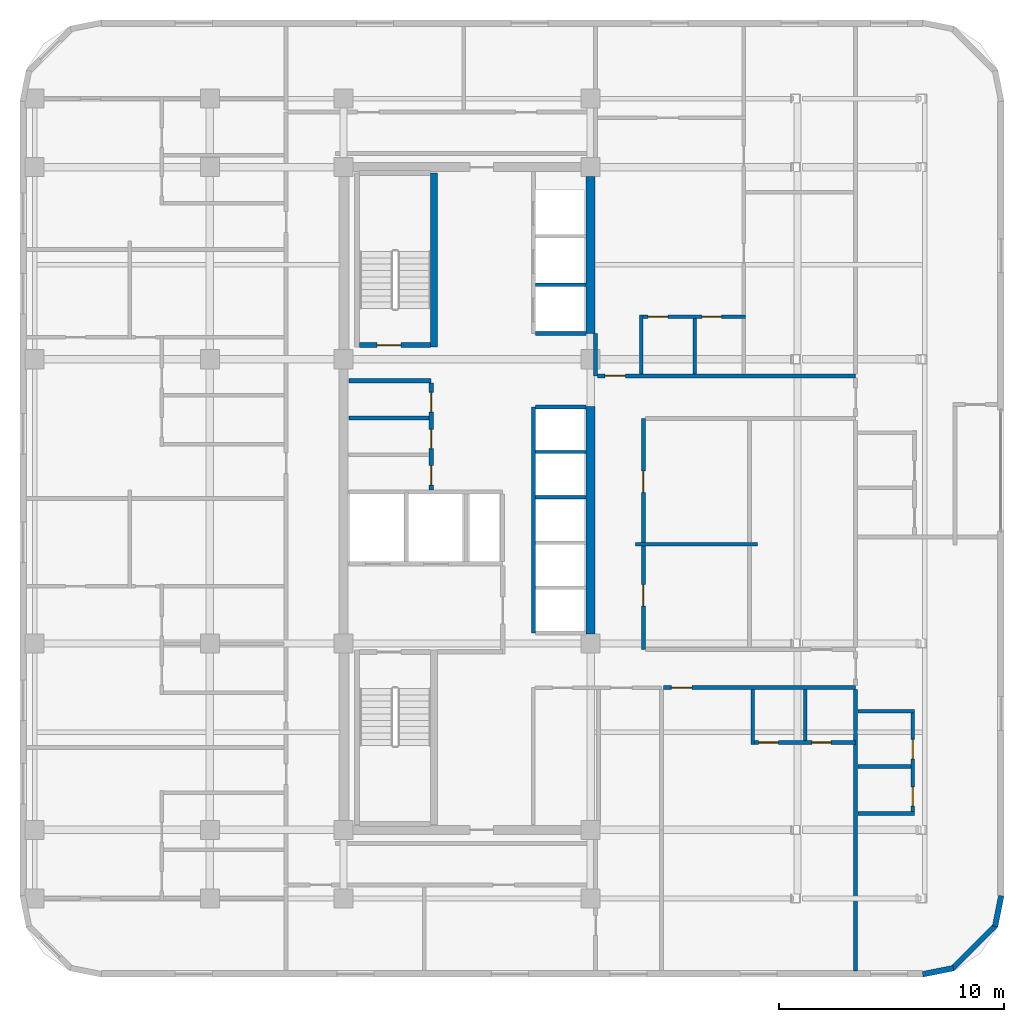
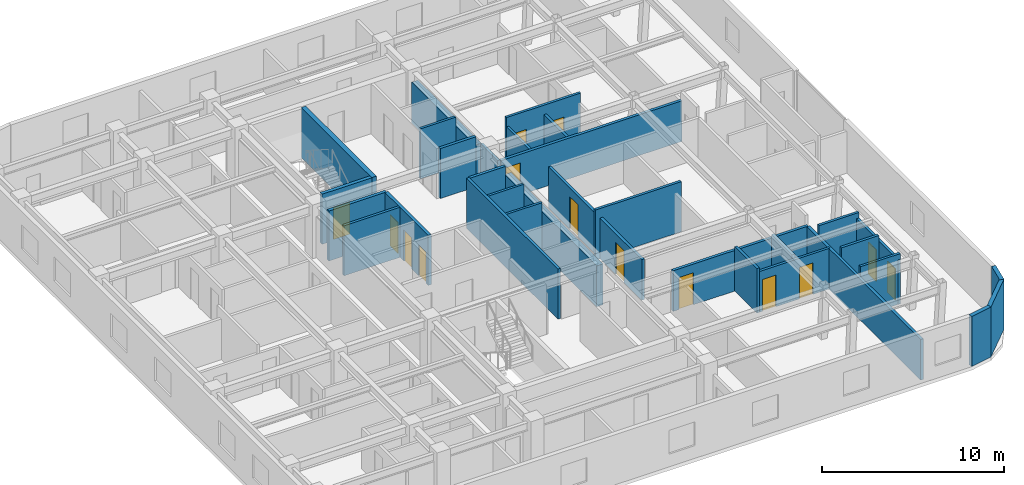
# One storey, part 6 of 9: 32 walls, 14 doors, 14 openings.
"""IFC4 building model written with IfcOpenShell, lengths in metres."""

from ifc_helpers import new_model, si_unit, direction, frame, frame_2d, origin, place, context, subcontext, project, spatial, rectangle, extrude, material, layer, layer_set, type_object, element, fill, save


model = new_model("IFC4")

# Units and contexts
model_context = context("Model", 3, precision=1e-05, world=origin(), true_north=direction((0.0, 1.0)))
body_context = subcontext(model_context, "Body", "Model", "MODEL_VIEW")
ifc_project = project(units=[si_unit("LENGTHUNIT", "METRE"), si_unit("AREAUNIT", "SQUARE_METRE"), si_unit("VOLUMEUNIT", "CUBIC_METRE"), si_unit("PLANEANGLEUNIT", "RADIAN"), si_unit("MASSUNIT", "GRAM", prefix="KILO")], contexts=[model_context])

# Site, building, storey
site_placement = place(None, origin())
site = spatial("IfcSite", under=ifc_project, at=site_placement, CompositionType="ELEMENT")
building_placement = place(site_placement, origin())
building = spatial("IfcBuilding", under=site, at=building_placement, Name="Ochreholt Gables", CompositionType="ELEMENT")
storey_placement = place(building_placement, frame((0.0, 0.0, 124.800048828125)))
storey = spatial("IfcBuildingStorey", under=building, at=storey_placement, Name="L32", CompositionType="ELEMENT", Elevation=124.800048828125)

# Walls
ifc_material_1 = material(Name="Concrete 60 MPa", Category="concrete")
ifc_layer_1 = layer(ifc_material_1, 0.39990234375, Name="Concrete 60 MPa")
ifc_layer_set_1 = layer_set([ifc_layer_1], Name="Concrete 60 MPa")
wall_type_1 = type_object("IfcWallType", Name="WALL-CSW-400", PredefinedType="SHEAR", material=ifc_layer_set_1)
wall_1_placement = place(storey_placement, frame((35.199951171875, 17.97509765625, 0.0), z_axis=(0.0, 0.0, 1.0), x_axis=(0.0, 1.0, 0.0)))
element("IfcWall", 1, at=wall_1_placement, inside=storey, type_object=wall_type_1, Name="L32 Core Central-East Shear Wall", PredefinedType="SHEAR", context=body_context, shape_type="SweptSolid", body=[
    extrude(rectangle(XDim=10.125, YDim=0.39990234375, at=frame_2d((5.0625, 0.0))), origin(), (0.0, 0.0, 1.0), 2.7490234375),
])
wall_2_placement = place(storey_placement, frame((35.199951171875, 31.35009765625, 0.0), z_axis=(0.0, 0.0, 1.0), x_axis=(0.0, 1.0, 0.0)))
element("IfcWall", 2, at=wall_2_placement, inside=storey, type_object=wall_type_1, Name="L32 Core North-East Shear Wall", PredefinedType="SHEAR", context=body_context, shape_type="SweptSolid", body=[
    extrude(rectangle(XDim=6.974853515625, YDim=0.39990234375, at=frame_2d((3.4873046875, 0.0))), origin(), (0.0, 0.0, 1.0), 2.7490234375),
])
ifc_material_2 = material(Name="Precast concrete 40 MPa", Category="concrete")
ifc_layer_2 = layer(ifc_material_2, 0.25, Name="Precast concrete 40 MPa")
ifc_layer_set_2 = layer_set([ifc_layer_2], Name="Precast concrete 40 MPa")
wall_type_2 = type_object("IfcWallType", Name="WALL-EXT-CNR", PredefinedType="SOLIDWALL", material=ifc_layer_set_2)
wall_3_placement = place(storey_placement, frame((49.9833984375, 2.82421875, 0.0), z_axis=(0.0, 0.0, 1.0), x_axis=(0.980809899341, 0.19496651342, 0.0)))
element("IfcWall", 3, at=wall_3_placement, inside=storey, type_object=wall_type_2, Name="L32 Rounded Corner Wall SE-1", PredefinedType="SOLIDWALL", context=body_context, shape_type="SweptSolid", body=[
    extrude(rectangle(XDim=1.388671875, YDim=0.25, at=frame_2d((0.6943359375, 0.0))), origin(), (0.0, 0.0, 1.0), 3.35986328125),
])
wall_4_placement = place(storey_placement, frame((51.294921875, 3.068115234375, 0.0), z_axis=(0.0, 0.0, 1.0), x_axis=(0.707151344399, 0.707062215165, 0.0)))
element("IfcWall", 4, at=wall_4_placement, inside=storey, type_object=wall_type_2, Name="L32 Rounded Corner Wall SE-2", PredefinedType="SOLIDWALL", context=body_context, shape_type="SweptSolid", body=[
    extrude(rectangle(XDim=2.7392578125, YDim=0.25, at=frame_2d((1.36962890625, 0.0))), origin(), (0.0, 0.0, 1.0), 3.35986328125),
])
wall_5_placement = place(storey_placement, frame((53.205078125, 4.95458984375, 0.0), z_axis=(0.0, 0.0, 1.0), x_axis=(0.195000137217, 0.980803214965, 0.0)))
element("IfcWall", 5, at=wall_5_placement, inside=storey, type_object=wall_type_2, Name="L32 Rounded Corner Wall SE-3", PredefinedType="SOLIDWALL", context=body_context, shape_type="SweptSolid", body=[
    extrude(rectangle(XDim=1.388427734375, YDim=0.25, at=frame_2d((0.6943359375, 0.0))), origin(), (0.0, 0.0, 1.0), 3.35986328125),
])
ifc_material_3 = material(Name="Concrete 40 MPa", Category="concrete")
ifc_layer_3 = layer(ifc_material_3, 0.199951171875, Name="Concrete 40 MPa")
ifc_layer_set_3 = layer_set([ifc_layer_3], Name="Concrete 40 MPa")
wall_type_3 = type_object("IfcWallType", Name="WALL-INT-CF200", PredefinedType="STANDARD", material=ifc_layer_set_3)
wall_6_placement = place(storey_placement, frame((24.449951171875, 29.239990234375, 0.0), z_axis=(0.0, 0.0, 1.0), x_axis=(1.0, 0.0, 0.0)))
element("IfcWall", 6, at=wall_6_placement, inside=storey, type_object=wall_type_3, Name="L32 Interior Wall WI-SRVN-L32", PredefinedType="STANDARD", context=body_context, shape_type="SweptSolid", body=[
    extrude(rectangle(XDim=3.650146484375, YDim=0.199951171875, at=frame_2d((1.8251953125, 0.0))), origin(), (0.0, 0.0, 1.0), 3.35986328125),
])

# Wall, openings, doors
wall_7_placement = place(storey_placement, frame((28.10009765625, 24.389892578125, 0.0), z_axis=(0.0, 0.0, 1.0), x_axis=(0.0, 1.0, 0.0)))
wall_7 = element("IfcWall", 7, at=wall_7_placement, inside=storey, type_object=wall_type_3, Name="L32 Interior Wall WI-SRVE-L32", PredefinedType="STANDARD", context=body_context, shape_type="SweptSolid", body=[
    extrude(rectangle(XDim=4.75, YDim=0.199951171875, at=frame_2d((2.375, 0.0))), origin(), (0.0, 0.0, 1.0), 3.35986328125),
])
opening_1_placement = place(wall_7_placement, frame((0.2099609375, 0.0, 0.0)))
opening_1 = element("IfcOpeningElement", 8, at=opening_1_placement, cuts=wall_7, Name="Opening D-SV2", PredefinedType="OPENING", context=body_context, shape_type="SweptSolid", body=[
    extrude(rectangle(XDim=0.860107421875, YDim=2.10009765625, at=frame_2d((0.43017578125, 1.050048828125))), frame((0.0, 0.10986328125, 0.0), z_axis=(0.0, -1.0, 0.0), x_axis=(1.0, 0.0, 0.0)), (0.0, 0.0, 1.0), 0.219970703125),
])
opening_2_placement = place(wall_7_placement, frame((1.830078125, 0.0, 0.0)))
opening_2 = element("IfcOpeningElement", 9, at=opening_2_placement, cuts=wall_7, Name="Opening D-SV2", PredefinedType="OPENING", context=body_context, shape_type="SweptSolid", body=[
    extrude(rectangle(XDim=0.860107421875, YDim=2.10009765625, at=frame_2d((0.43017578125, 1.050048828125))), frame((0.0, 0.10986328125, 0.0), z_axis=(0.0, -1.0, 0.0), x_axis=(1.0, 0.0, 0.0)), (0.0, 0.0, 1.0), 0.219970703125),
])
opening_3_placement = place(wall_7_placement, frame((3.469970703125, 0.0, 0.0)))
opening_3 = element("IfcOpeningElement", 10, at=opening_3_placement, cuts=wall_7, Name="Opening D-SV2", PredefinedType="OPENING", context=body_context, shape_type="SweptSolid", body=[
    extrude(rectangle(XDim=0.860107421875, YDim=2.10009765625, at=frame_2d((0.43017578125, 1.050048828125))), frame((0.0, 0.10986328125, 0.0), z_axis=(0.0, -1.0, 0.0), x_axis=(1.0, 0.0, 0.0)), (0.0, 0.0, 1.0), 0.219970703125),
])
ifc_material_4 = material(Name="Hollow Metal Steel", Category="steel")
door_type_1 = type_object("IfcDoorType", Name="DR-INT-SRV860", OperationType="NOTDEFINED", PredefinedType="DOOR", material=ifc_material_4)
door_1_placement = place(opening_1_placement, origin())
door_1 = element("IfcDoor", 11, at=door_1_placement, inside=storey, type_object=door_type_1, Name="L32 Door D-SRV1-L32", OperationType="SINGLE_SWING_LEFT", OverallHeight=2.10009765625, OverallWidth=0.860107421875, PredefinedType="DOOR", context=body_context, shape_type="SweptSolid", body=[
    extrude(rectangle(XDim=0.860107421875, YDim=2.10009765625, at=frame_2d((0.43017578125, 1.050048828125))), frame((0.0, 0.02490234375, 0.0), z_axis=(0.0, -1.0, 0.0), x_axis=(1.0, 0.0, 0.0)), (0.0, 0.0, 1.0), 0.050048828125),
])
fill(opening_1, door_1)
door_2_placement = place(opening_2_placement, origin())
door_2 = element("IfcDoor", 12, at=door_2_placement, inside=storey, type_object=door_type_1, Name="L32 Door D-SRV2-L32", OperationType="SINGLE_SWING_RIGHT", OverallHeight=2.10009765625, OverallWidth=0.860107421875, PredefinedType="DOOR", context=body_context, shape_type="SweptSolid", body=[
    extrude(rectangle(XDim=0.860107421875, YDim=2.10009765625, at=frame_2d((0.43017578125, 1.050048828125))), frame((0.0, 0.02490234375, 0.0), z_axis=(0.0, -1.0, 0.0), x_axis=(1.0, 0.0, 0.0)), (0.0, 0.0, 1.0), 0.050048828125),
])
fill(opening_2, door_2)
door_3_placement = place(opening_3_placement, origin())
door_3 = element("IfcDoor", 13, at=door_3_placement, inside=storey, type_object=door_type_1, Name="L32 Door D-SRV3-L32", OperationType="SINGLE_SWING_LEFT", OverallHeight=2.10009765625, OverallWidth=0.860107421875, PredefinedType="DOOR", context=body_context, shape_type="SweptSolid", body=[
    extrude(rectangle(XDim=0.860107421875, YDim=2.10009765625, at=frame_2d((0.43017578125, 1.050048828125))), frame((0.0, 0.02490234375, 0.0), z_axis=(0.0, -1.0, 0.0), x_axis=(1.0, 0.0, 0.0)), (0.0, 0.0, 1.0), 0.050048828125),
])
fill(opening_3, door_3)

ifc_material_5 = material(Name="Fire-Rated Gypsum Acoustic Partition", Category="gypsum")
ifc_layer_4 = layer(ifc_material_5, 0.179931640625, Name="Fire-Rated Gypsum Acoustic Partition")
ifc_layer_set_4 = layer_set([ifc_layer_4], Name="Fire-Rated Gypsum Acoustic Partition")
wall_type_4 = type_object("IfcWallType", Name="WALL-INT-CR180", PredefinedType="STANDARD", material=ifc_layer_set_4)
wall_8_placement = place(storey_placement, frame((37.550048828125, 17.280029296875, 0.0), z_axis=(0.0, 0.0, 1.0), x_axis=(0.0, 1.0, 0.0)))
wall_8 = element("IfcWall", 14, at=wall_8_placement, inside=storey, type_object=wall_type_4, Name="L32 Interior Wall WI-C2EM-L32", PredefinedType="STANDARD", context=body_context, shape_type="SweptSolid", body=[
    extrude(rectangle(XDim=10.280029296875, YDim=0.179931640625, at=frame_2d((5.14013671875, 0.0))), origin(), (0.0, 0.0, 1.0), 2.73095703125),
])
opening_4_placement = place(wall_8_placement, frame((1.93994140625, 0.0, 0.0)))
opening_4 = element("IfcOpeningElement", 15, at=opening_4_placement, cuts=wall_8, Name="Opening D-GN1", PredefinedType="OPENING", context=body_context, shape_type="SweptSolid", body=[
    extrude(rectangle(XDim=0.949951171875, YDim=2.14990234375, at=frame_2d((0.47509765625, 1.074951171875))), frame((0.0, 0.099853515625, 0.0), z_axis=(0.0, -1.0, 0.0), x_axis=(1.0, 0.0, 0.0)), (0.0, 0.0, 1.0), 0.199951171875),
])
opening_5_placement = place(wall_8_placement, frame((6.989990234375, 0.0, 0.0)))
opening_5 = element("IfcOpeningElement", 16, at=opening_5_placement, cuts=wall_8, Name="Opening D-GN1", PredefinedType="OPENING", context=body_context, shape_type="SweptSolid", body=[
    extrude(rectangle(XDim=0.949951171875, YDim=2.14990234375, at=frame_2d((0.47509765625, 1.074951171875))), frame((0.0, 0.099853515625, 0.0), z_axis=(0.0, -1.0, 0.0), x_axis=(1.0, 0.0, 0.0)), (0.0, 0.0, 1.0), 0.199951171875),
])
ifc_material_6 = material(Name="Engineered Oak Timber", Category="wood")
door_type_2 = type_object("IfcDoorType", Name="DR-INT-GEN950", OperationType="NOTDEFINED", PredefinedType="DOOR", material=ifc_material_6)
door_4_placement = place(opening_4_placement, origin())
door_4 = element("IfcDoor", 17, at=door_4_placement, inside=storey, type_object=door_type_2, Name="L32 Door D-U-L32M1A-ENT", OperationType="SINGLE_SWING_RIGHT", OverallHeight=2.14990234375, OverallWidth=0.949951171875, PredefinedType="DOOR", context=body_context, shape_type="SweptSolid", body=[
    extrude(rectangle(XDim=0.949951171875, YDim=2.14990234375, at=frame_2d((0.47509765625, 1.074951171875))), frame((0.0, 0.02490234375, 0.0), z_axis=(0.0, -1.0, 0.0), x_axis=(1.0, 0.0, 0.0)), (0.0, 0.0, 1.0), 0.050048828125),
])
fill(opening_4, door_4)
door_5_placement = place(opening_5_placement, origin())
door_5 = element("IfcDoor", 18, at=door_5_placement, inside=storey, type_object=door_type_2, Name="L32 Door D-U-L32M1B-ENT", OperationType="SINGLE_SWING_LEFT", OverallHeight=2.14990234375, OverallWidth=0.949951171875, PredefinedType="DOOR", context=body_context, shape_type="SweptSolid", body=[
    extrude(rectangle(XDim=0.949951171875, YDim=2.14990234375, at=frame_2d((0.47509765625, 1.074951171875))), frame((0.0, 0.02490234375, 0.0), z_axis=(0.0, -1.0, 0.0), x_axis=(1.0, 0.0, 0.0)), (0.0, 0.0, 1.0), 0.050048828125),
])
fill(opening_5, door_5)

# Wall, opening, door
wall_9_placement = place(storey_placement, frame((38.4326171875, 15.580078125, 0.0), z_axis=(0.0, 0.0, 1.0), x_axis=(1.0, 0.0, 0.0)))
wall_9 = element("IfcWall", 19, at=wall_9_placement, inside=storey, type_object=wall_type_4, Name="L32 Interior Wall WI-C2SS1-L32", PredefinedType="STANDARD", context=body_context, shape_type="SweptSolid", body=[
    extrude(rectangle(XDim=8.5673828125, YDim=0.179931640625, at=frame_2d((4.28369140625, 0.0))), origin(), (0.0, 0.0, 1.0), 2.73095703125),
])
opening_6_placement = place(wall_9_placement, frame((0.357421875, 0.0, 0.0)))
opening_6 = element("IfcOpeningElement", 20, at=opening_6_placement, cuts=wall_9, Name="Opening D-UN1", PredefinedType="OPENING", context=body_context, shape_type="SweptSolid", body=[
    extrude(rectangle(XDim=0.919921875, YDim=2.14990234375, at=frame_2d((0.4599609375, 1.074951171875))), frame((0.0, 0.099853515625, 0.0), z_axis=(0.0, -1.0, 0.0), x_axis=(1.0, 0.0, 0.0)), (0.0, 0.0, 1.0), 0.199951171875),
])
door_type_3 = type_object("IfcDoorType", Name="DR-INT-UNT920", OperationType="NOTDEFINED", PredefinedType="DOOR", material=ifc_material_6)
door_6_placement = place(opening_6_placement, origin())
door_6 = element("IfcDoor", 21, at=door_6_placement, inside=storey, type_object=door_type_3, Name="L32 Door D-U-L32S1-ENT", OperationType="SINGLE_SWING_RIGHT", OverallHeight=2.14990234375, OverallWidth=0.919921875, PredefinedType="DOOR", context=body_context, shape_type="SweptSolid", body=[
    extrude(rectangle(XDim=0.919921875, YDim=2.14990234375, at=frame_2d((0.4599609375, 1.074951171875))), frame((0.0, 0.02490234375, 0.0), z_axis=(0.0, -1.0, 0.0), x_axis=(1.0, 0.0, 0.0)), (0.0, 0.0, 1.0), 0.050048828125),
])
fill(opening_6, door_6)

# Wall
wall_10_placement = place(storey_placement, frame((35.419921875, 29.4599609375, 0.0), z_axis=(0.0, 0.0, 1.0), x_axis=(0.0, 1.0, 0.0)))
element("IfcWall", 22, at=wall_10_placement, inside=storey, type_object=wall_type_4, Name="L32 Interior Wall WI-C2NCL-L32", PredefinedType="STANDARD", context=body_context, shape_type="SweptSolid", body=[
    extrude(rectangle(XDim=1.89013671875, YDim=0.179931640625, at=frame_2d((0.945068359375, 0.0))), origin(), (0.0, 0.0, 1.0), 2.73095703125),
])

# Wall, opening, door
wall_11_placement = place(storey_placement, frame((35.510009765625, 29.4599609375, 0.0), z_axis=(0.0, 0.0, 1.0), x_axis=(1.0, 0.0, 0.0)))
wall_11 = element("IfcWall", 23, at=wall_11_placement, inside=storey, type_object=wall_type_4, Name="L32 Interior Wall WI-C2SN2-L32", PredefinedType="STANDARD", context=body_context, shape_type="SweptSolid", body=[
    extrude(rectangle(XDim=11.489990234375, YDim=0.179931640625, at=frame_2d((5.7451171875, 0.0))), origin(), (0.0, 0.0, 1.0), 2.73095703125),
])
opening_7_placement = place(wall_11_placement, frame((0.320068359375, 0.0, 0.0)))
opening_7 = element("IfcOpeningElement", 24, at=opening_7_placement, cuts=wall_11, Name="Opening D-UN1", PredefinedType="OPENING", context=body_context, shape_type="SweptSolid", body=[
    extrude(rectangle(XDim=0.919921875, YDim=2.14990234375, at=frame_2d((0.4599609375, 1.074951171875))), frame((0.0, 0.099853515625, 0.0), z_axis=(0.0, -1.0, 0.0), x_axis=(1.0, 0.0, 0.0)), (0.0, 0.0, 1.0), 0.199951171875),
])
door_7_placement = place(opening_7_placement, origin())
door_7 = element("IfcDoor", 25, at=door_7_placement, inside=storey, type_object=door_type_3, Name="L32 Door D-U-L32N1-ENT", OperationType="SINGLE_SWING_LEFT", OverallHeight=2.14990234375, OverallWidth=0.919921875, PredefinedType="DOOR", context=body_context, shape_type="SweptSolid", body=[
    extrude(rectangle(XDim=0.919921875, YDim=2.14990234375, at=frame_2d((0.4599609375, 1.074951171875))), frame((0.0, 0.02490234375, 0.0), z_axis=(0.0, -1.0, 0.0), x_axis=(1.0, 0.0, 0.0)), (0.0, 0.0, 1.0), 0.050048828125),
])
fill(opening_7, door_7)

# Wall
ifc_material_7 = material(Name="Double-Stud Acoustic Demising Wall", Category="gypsum")
ifc_layer_5 = layer(ifc_material_7, 0.179931640625, Name="Double-Stud Acoustic Demising Wall")
ifc_layer_set_5 = layer_set([ifc_layer_5], Name="Double-Stud Acoustic Demising Wall")
wall_type_5 = type_object("IfcWallType", Name="WALL-INT-DM180", PredefinedType="PARTITIONING", material=ifc_layer_set_5)
wall_12_placement = place(storey_placement, frame((47.0, 2.97998046875, 0.0), z_axis=(0.0, 0.0, 1.0), x_axis=(0.0, 1.0, 0.0)))
element("IfcWall", 26, at=wall_12_placement, inside=storey, type_object=wall_type_5, Name="L32 Interior Wall WI-C2FEW1-L32", PredefinedType="PARTITIONING", context=body_context, shape_type="SweptSolid", body=[
    extrude(rectangle(XDim=12.510009765625, YDim=0.179931640625, at=frame_2d((6.2548828125, 0.0))), origin(), (0.0, 0.0, 1.0), 2.73095703125),
])

# Wall, openings, doors
ifc_material_8 = material(Name="Moisture-Resistant Plumbing Chase Wall", Category="gypsum")
ifc_layer_6 = layer(ifc_material_8, 0.159912109375, Name="Moisture-Resistant Plumbing Chase Wall")
ifc_layer_set_6 = layer_set([ifc_layer_6], Name="Moisture-Resistant Plumbing Chase Wall")
wall_type_6 = type_object("IfcWallType", Name="WALL-INT-PL160", PredefinedType="PLUMBINGWALL", material=ifc_layer_set_6)
wall_13_placement = place(storey_placement, frame((42.330078125, 13.139892578125, 0.0), z_axis=(0.0, 0.0, 1.0), x_axis=(1.0, 0.0, 0.0)))
wall_13 = element("IfcWall", 27, at=wall_13_placement, inside=storey, type_object=wall_type_6, Name="L32 Interior Wall WU-L32S1-WY", PredefinedType="PLUMBINGWALL", context=body_context, shape_type="SweptSolid", body=[
    extrude(rectangle(XDim=4.669921875, YDim=0.159912109375, at=frame_2d((2.3349609375, 0.0))), origin(), (0.0, 0.0, 1.0), 2.73095703125),
])
opening_8_placement = place(wall_13_placement, frame((0.35009765625, 0.0, 0.0)))
opening_8 = element("IfcOpeningElement", 28, at=opening_8_placement, cuts=wall_13, Name="Opening D-GN2", PredefinedType="OPENING", context=body_context, shape_type="SweptSolid", body=[
    extrude(rectangle(XDim=0.8798828125, YDim=2.1201171875, at=frame_2d((0.43994140625, 1.06005859375))), frame((0.0, 0.08984375, 0.0), z_axis=(0.0, -1.0, 0.0), x_axis=(1.0, 0.0, 0.0)), (0.0, 0.0, 1.0), 0.179931640625),
])
opening_9_placement = place(wall_13_placement, frame((2.719970703125, 0.0, 0.0)))
opening_9 = element("IfcOpeningElement", 29, at=opening_9_placement, cuts=wall_13, Name="Opening D-BT1", PredefinedType="OPENING", context=body_context, shape_type="SweptSolid", body=[
    extrude(rectangle(XDim=0.860107421875, YDim=2.1201171875, at=frame_2d((0.43017578125, 1.06005859375))), frame((0.0, 0.08984375, 0.0), z_axis=(0.0, -1.0, 0.0), x_axis=(1.0, 0.0, 0.0)), (0.0, 0.0, 1.0), 0.179931640625),
])
door_type_4 = type_object("IfcDoorType", Name="DR-INT-BTH860", OperationType="NOTDEFINED", PredefinedType="DOOR", material=ifc_material_6)
door_8_placement = place(opening_9_placement, origin())
door_8 = element("IfcDoor", 30, at=door_8_placement, inside=storey, type_object=door_type_4, Name="L32 Door D-U-L32S1-BTH", OperationType="SINGLE_SWING_RIGHT", OverallHeight=2.1201171875, OverallWidth=0.860107421875, PredefinedType="DOOR", context=body_context, shape_type="SweptSolid", body=[
    extrude(rectangle(XDim=0.860107421875, YDim=2.1201171875, at=frame_2d((0.43017578125, 1.06005859375))), frame((0.0, 0.02490234375, 0.0), z_axis=(0.0, -1.0, 0.0), x_axis=(1.0, 0.0, 0.0)), (0.0, 0.0, 1.0), 0.050048828125),
])
fill(opening_9, door_8)
door_type_5 = type_object("IfcDoorType", Name="DR-INT-GEN880", OperationType="NOTDEFINED", PredefinedType="DOOR", material=ifc_material_6)
door_9_placement = place(opening_8_placement, origin())
door_9 = element("IfcDoor", 31, at=door_9_placement, inside=storey, type_object=door_type_5, Name="L32 Door D-U-L32S1-KIT", OperationType="SINGLE_SWING_LEFT", OverallHeight=2.1201171875, OverallWidth=0.8798828125, PredefinedType="DOOR", context=body_context, shape_type="SweptSolid", body=[
    extrude(rectangle(XDim=0.8798828125, YDim=2.1201171875, at=frame_2d((0.43994140625, 1.06005859375))), frame((0.0, 0.02490234375, 0.0), z_axis=(0.0, -1.0, 0.0), x_axis=(1.0, 0.0, 0.0)), (0.0, 0.0, 1.0), 0.050048828125),
])
fill(opening_8, door_9)

# Walls
wall_14_placement = place(storey_placement, frame((42.409912109375, 13.06005859375, 0.0), z_axis=(0.0, 0.0, 1.0), x_axis=(0.0, 1.0, 0.0)))
element("IfcWall", 32, at=wall_14_placement, inside=storey, type_object=wall_type_6, Name="L32 Interior Wall WU-L32S1-FY", PredefinedType="PLUMBINGWALL", context=body_context, shape_type="SweptSolid", body=[
    extrude(rectangle(XDim=2.429931640625, YDim=0.159912109375, at=frame_2d((1.21484375, 0.0))), origin(), (0.0, 0.0, 1.0), 2.988037109375),
])
wall_15_placement = place(storey_placement, frame((44.75, 13.219970703125, 0.0), z_axis=(0.0, 0.0, 1.0), x_axis=(0.0, 1.0, 0.0)))
element("IfcWall", 33, at=wall_15_placement, inside=storey, type_object=wall_type_6, Name="L32 Interior Wall WU-L32S1-WK", PredefinedType="PLUMBINGWALL", context=body_context, shape_type="SweptSolid", body=[
    extrude(rectangle(XDim=2.27001953125, YDim=0.159912109375, at=frame_2d((1.135009765625, 0.0))), origin(), (0.0, 0.0, 1.0), 2.988037109375),
])

# Wall, openings, doors
wall_16_placement = place(storey_placement, frame((37.3798828125, 32.094970703125, 0.0), z_axis=(0.0, 0.0, 1.0), x_axis=(1.0, 0.0, 0.0)))
wall_16 = element("IfcWall", 34, at=wall_16_placement, inside=storey, type_object=wall_type_6, Name="L32 Interior Wall WU-L32N1-WY", PredefinedType="PLUMBINGWALL", context=body_context, shape_type="SweptSolid", body=[
    extrude(rectangle(XDim=4.710205078125, YDim=0.159912109375, at=frame_2d((2.35498046875, 0.0))), origin(), (0.0, 0.0, 1.0), 3.35986328125),
])
opening_10_placement = place(wall_16_placement, frame((0.3798828125, 0.0, 0.0)))
opening_10 = element("IfcOpeningElement", 35, at=opening_10_placement, cuts=wall_16, Name="Opening D-GN2", PredefinedType="OPENING", context=body_context, shape_type="SweptSolid", body=[
    extrude(rectangle(XDim=0.8798828125, YDim=2.1201171875, at=frame_2d((0.43994140625, 1.06005859375))), frame((0.0, 0.08984375, 0.0), z_axis=(0.0, -1.0, 0.0), x_axis=(1.0, 0.0, 0.0)), (0.0, 0.0, 1.0), 0.179931640625),
])
opening_11_placement = place(wall_16_placement, frame((2.785888671875, 0.0, 0.0)))
opening_11 = element("IfcOpeningElement", 36, at=opening_11_placement, cuts=wall_16, Name="Opening D-BT1", PredefinedType="OPENING", context=body_context, shape_type="SweptSolid", body=[
    extrude(rectangle(XDim=0.860107421875, YDim=2.1201171875, at=frame_2d((0.43017578125, 1.06005859375))), frame((0.0, 0.08984375, 0.0), z_axis=(0.0, -1.0, 0.0), x_axis=(1.0, 0.0, 0.0)), (0.0, 0.0, 1.0), 0.179931640625),
])
door_10_placement = place(opening_11_placement, origin())
door_10 = element("IfcDoor", 37, at=door_10_placement, inside=storey, type_object=door_type_4, Name="L32 Door D-U-L32N1-BTH", OperationType="SINGLE_SWING_LEFT", OverallHeight=2.1201171875, OverallWidth=0.860107421875, PredefinedType="DOOR", context=body_context, shape_type="SweptSolid", body=[
    extrude(rectangle(XDim=0.860107421875, YDim=2.1201171875, at=frame_2d((0.43017578125, 1.06005859375))), frame((0.0, 0.02490234375, 0.0), z_axis=(0.0, -1.0, 0.0), x_axis=(1.0, 0.0, 0.0)), (0.0, 0.0, 1.0), 0.050048828125),
])
fill(opening_11, door_10)
door_11_placement = place(opening_10_placement, origin())
door_11 = element("IfcDoor", 38, at=door_11_placement, inside=storey, type_object=door_type_5, Name="L32 Door D-U-L32N1-KIT", OperationType="SINGLE_SWING_RIGHT", OverallHeight=2.1201171875, OverallWidth=0.8798828125, PredefinedType="DOOR", context=body_context, shape_type="SweptSolid", body=[
    extrude(rectangle(XDim=0.8798828125, YDim=2.1201171875, at=frame_2d((0.43994140625, 1.06005859375))), frame((0.0, 0.02490234375, 0.0), z_axis=(0.0, -1.0, 0.0), x_axis=(1.0, 0.0, 0.0)), (0.0, 0.0, 1.0), 0.050048828125),
])
fill(opening_10, door_11)

# Walls
wall_17_placement = place(storey_placement, frame((37.4599609375, 29.550048828125, 0.0), z_axis=(0.0, 0.0, 1.0), x_axis=(0.0, 1.0, 0.0)))
element("IfcWall", 39, at=wall_17_placement, inside=storey, type_object=wall_type_6, Name="L32 Interior Wall WU-L32N1-FY", PredefinedType="PLUMBINGWALL", context=body_context, shape_type="SweptSolid", body=[
    extrude(rectangle(XDim=2.625, YDim=0.159912109375, at=frame_2d((1.3125, 0.0))), origin(), (0.0, 0.0, 1.0), 2.73095703125),
])
wall_18_placement = place(storey_placement, frame((39.825927734375, 29.550048828125, 0.0), z_axis=(0.0, 0.0, 1.0), x_axis=(0.0, 1.0, 0.0)))
element("IfcWall", 40, at=wall_18_placement, inside=storey, type_object=wall_type_6, Name="L32 Interior Wall WU-L32N1-WK", PredefinedType="PLUMBINGWALL", context=body_context, shape_type="SweptSolid", body=[
    extrude(rectangle(XDim=2.46484375, YDim=0.159912109375, at=frame_2d((1.232421875, 0.0))), origin(), (0.0, 0.0, 1.0), 2.73095703125),
])
for number, where, z_axis, x_axis, name in (
    (41, (47.090087890625, 9.978759765625, 0.0), (0.0, 0.0, 1.0), (1.0, 0.0, 0.0), "L32 Interior Wall WU-L32FES-WYS"),
    (42, (47.090087890625, 14.52880859375, 0.0), (0.0, 0.0, 1.0), (1.0, 0.0, 0.0), "L32 Interior Wall WU-L32FES-WYN"),
):
    element("IfcWall", number, at=place(storey_placement, frame(where, z_axis=z_axis, x_axis=x_axis)), inside=storey, type_object=wall_type_6, Name=name, PredefinedType="PLUMBINGWALL", context=body_context, shape_type="SweptSolid", body=[
        extrude(rectangle(XDim=2.530029296875, YDim=0.159912109375, at=frame_2d((1.26513671875, 0.0))), origin(), (0.0, 0.0, 1.0), 3.35986328125),
    ])

# Wall, openings, doors
wall_19_placement = place(storey_placement, frame((49.5400390625, 9.888916015625, 0.0), z_axis=(0.0, 0.0, 1.0), x_axis=(0.0, 1.0, 0.0)))
wall_19 = element("IfcWall", 43, at=wall_19_placement, inside=storey, type_object=wall_type_6, Name="L32 Interior Wall WU-L32FES-WX", PredefinedType="PLUMBINGWALL", context=body_context, shape_type="SweptSolid", body=[
    extrude(rectangle(XDim=4.72998046875, YDim=0.159912109375, at=frame_2d((2.364990234375, 0.0))), origin(), (0.0, 0.0, 1.0), 2.988037109375),
])
opening_12_placement = place(wall_19_placement, frame((0.419921875, 0.0, 0.0)))
opening_12 = element("IfcOpeningElement", 44, at=opening_12_placement, cuts=wall_19, Name="Opening D-BT1", PredefinedType="OPENING", context=body_context, shape_type="SweptSolid", body=[
    extrude(rectangle(XDim=0.860107421875, YDim=2.1201171875, at=frame_2d((0.43017578125, 1.06005859375))), frame((0.0, 0.08984375, 0.0), z_axis=(0.0, -1.0, 0.0), x_axis=(1.0, 0.0, 0.0)), (0.0, 0.0, 1.0), 0.179931640625),
])
opening_13_placement = place(wall_19_placement, frame((2.512939453125, 0.0, 0.0)))
opening_13 = element("IfcOpeningElement", 45, at=opening_13_placement, cuts=wall_19, Name="Opening D-GN2", PredefinedType="OPENING", context=body_context, shape_type="SweptSolid", body=[
    extrude(rectangle(XDim=0.8798828125, YDim=2.1201171875, at=frame_2d((0.43994140625, 1.06005859375))), frame((0.0, 0.08984375, 0.0), z_axis=(0.0, -1.0, 0.0), x_axis=(1.0, 0.0, 0.0)), (0.0, 0.0, 1.0), 0.179931640625),
])
door_12_placement = place(opening_12_placement, origin())
door_12 = element("IfcDoor", 46, at=door_12_placement, inside=storey, type_object=door_type_4, Name="L32 Door D-U-L32FES-BTH", OperationType="SINGLE_SWING_LEFT", OverallHeight=2.1201171875, OverallWidth=0.860107421875, PredefinedType="DOOR", context=body_context, shape_type="SweptSolid", body=[
    extrude(rectangle(XDim=0.860107421875, YDim=2.1201171875, at=frame_2d((0.43017578125, 1.06005859375))), frame((0.0, 0.02490234375, 0.0), z_axis=(0.0, -1.0, 0.0), x_axis=(1.0, 0.0, 0.0)), (0.0, 0.0, 1.0), 0.050048828125),
])
fill(opening_12, door_12)
door_13_placement = place(opening_13_placement, origin())
door_13 = element("IfcDoor", 47, at=door_13_placement, inside=storey, type_object=door_type_5, Name="L32 Door D-U-L32FES-KIT", OperationType="SINGLE_SWING_RIGHT", OverallHeight=2.1201171875, OverallWidth=0.8798828125, PredefinedType="DOOR", context=body_context, shape_type="SweptSolid", body=[
    extrude(rectangle(XDim=0.8798828125, YDim=2.1201171875, at=frame_2d((0.43994140625, 1.06005859375))), frame((0.0, 0.02490234375, 0.0), z_axis=(0.0, -1.0, 0.0), x_axis=(1.0, 0.0, 0.0)), (0.0, 0.0, 1.0), 0.050048828125),
])
fill(opening_13, door_13)

# Walls
wall_20_placement = place(storey_placement, frame((47.090087890625, 12.07177734375, 0.0), z_axis=(0.0, 0.0, 1.0), x_axis=(1.0, 0.0, 0.0)))
element("IfcWall", 48, at=wall_20_placement, inside=storey, type_object=wall_type_6, Name="L32 Interior Wall WU-L32FES-WM", PredefinedType="PLUMBINGWALL", context=body_context, shape_type="SweptSolid", body=[
    extrude(rectangle(XDim=2.369873046875, YDim=0.159912109375, at=frame_2d((1.18505859375, 0.0))), origin(), (0.0, 0.0, 1.0), 3.35986328125),
])
ifc_material_9 = material(Name="Gypsum Acoustic Stud Partition", Category="gypsum")
ifc_layer_7 = layer(ifc_material_9, 0.1650390625, Name="Gypsum Acoustic Stud Partition")
ifc_layer_set_7 = layer_set([ifc_layer_7], Name="Gypsum Acoustic Stud Partition")
wall_type_7 = type_object("IfcWallType", Name="WALL-INT-PT165", PredefinedType="PARTITIONING", material=ifc_layer_set_7)
wall_21_placement = place(storey_placement, frame((24.449951171875, 27.580078125, 0.0), z_axis=(0.0, 0.0, 1.0), x_axis=(1.0, 0.0, 0.0)))
element("IfcWall", 49, at=wall_21_placement, inside=storey, type_object=wall_type_7, Name="L32 Interior Wall WI-SRVP2-L32", PredefinedType="PARTITIONING", context=body_context, shape_type="SweptSolid", body=[
    extrude(rectangle(XDim=3.550048828125, YDim=0.1650390625, at=frame_2d((1.77490234375, 0.0))), origin(), (0.0, 0.0, 1.0), 3.35986328125),
])
wall_22_placement = place(storey_placement, frame((37.18994140625, 21.969970703125, 0.0), z_axis=(0.0, 0.0, 1.0), x_axis=(1.0, 0.0, 0.0)))
element("IfcWall", 50, at=wall_22_placement, inside=storey, type_object=wall_type_7, Name="L32 Interior Wall WU-L32M1-SDV", PredefinedType="PARTITIONING", context=body_context, shape_type="SweptSolid", body=[
    extrude(rectangle(XDim=5.445068359375, YDim=0.1650390625, at=frame_2d((2.72265625, 0.0))), origin(), (0.0, 0.0, 1.0), 3.35986328125),
])
ifc_material_10 = material(Name="Gypsum Shaftliner and Steel Stud", Category="steel")
ifc_layer_8 = layer(ifc_material_10, 0.14990234375, Name="Gypsum Shaftliner and Steel Stud")
ifc_layer_set_8 = layer_set([ifc_layer_8], Name="Gypsum Shaftliner and Steel Stud")
wall_type_8 = type_object("IfcWallType", Name="WALL-INT-SH150", PredefinedType="STANDARD", material=ifc_layer_set_8)
for number, where, z_axis, x_axis, name in (
    (51, (32.739990234375, 24.050048828125, 0.0), (0.0, 0.0, 1.0), (1.0, 0.0, 0.0), "L32 Interior Wall WI-LFHE-DHE-L32"),
    (52, (32.739990234375, 26.070068359375, 0.0), (0.0, 0.0, 1.0), (1.0, 0.0, 0.0), "L32 Interior Wall WI-LFHE-DEX1-L32"),
    (53, (32.739990234375, 33.52001953125, 0.0), (0.0, 0.0, 1.0), (1.0, 0.0, 0.0), "L32 Interior Wall WI-LFM-D1-L32"),
):
    element("IfcWall", number, at=place(storey_placement, frame(where, z_axis=z_axis, x_axis=x_axis)), inside=storey, type_object=wall_type_8, Name=name, PredefinedType="STANDARD", context=body_context, shape_type="SweptSolid", body=[
        extrude(rectangle(XDim=2.260009765625, YDim=0.14990234375, at=frame_2d((1.1298828125, 0.0))), origin(), (0.0, 0.0, 1.0), 3.35986328125),
    ])
ifc_layer_9 = layer(ifc_material_10, 0.179931640625, Name="Gypsum Shaftliner and Steel Stud")
ifc_layer_set_9 = layer_set([ifc_layer_9], Name="Gypsum Shaftliner and Steel Stud")
wall_type_9 = type_object("IfcWallType", Name="WALL-INT-SH180", PredefinedType="STANDARD", material=ifc_layer_set_9)
wall_23_placement = place(storey_placement, frame((32.64990234375, 18.02001953125, 0.0), z_axis=(0.0, 0.0, 1.0), x_axis=(0.0, 1.0, 0.0)))
element("IfcWall", 54, at=wall_23_placement, inside=storey, type_object=wall_type_9, Name="L32 Interior Wall WI-LFHE-FR-L32", PredefinedType="STANDARD", context=body_context, shape_type="SweptSolid", body=[
    extrude(rectangle(XDim=10.06005859375, YDim=0.179931640625, at=frame_2d((5.030029296875, 0.0))), origin(), (0.0, 0.0, 1.0), 3.35986328125),
])
for number, where, z_axis, x_axis, name in (
    (55, (32.739990234375, 28.080078125, 0.0), (0.0, 0.0, 1.0), (1.0, 0.0, 0.0), "L32 Interior Wall WI-LFHE-N-L32"),
    (56, (32.739990234375, 31.35009765625, 0.0), (0.0, 0.0, 1.0), (1.0, 0.0, 0.0), "L32 Interior Wall WI-LFM-S-L32"),
):
    element("IfcWall", number, at=place(storey_placement, frame(where, z_axis=z_axis, x_axis=x_axis)), inside=storey, type_object=wall_type_9, Name=name, PredefinedType="STANDARD", context=body_context, shape_type="SweptSolid", body=[
        extrude(rectangle(XDim=2.260009765625, YDim=0.179931640625, at=frame_2d((1.1298828125, 0.0))), origin(), (0.0, 0.0, 1.0), 3.35986328125),
    ])
ifc_layer_10 = layer(ifc_material_1, 0.300048828125, Name="Concrete 60 MPa")
ifc_layer_set_10 = layer_set([ifc_layer_10], Name="Concrete 60 MPa")
wall_type_10 = type_object("IfcWallType", Name="WALL-SPN-300", PredefinedType="SHEAR", material=ifc_layer_set_10)
wall_24_placement = place(storey_placement, frame((28.22998046875, 30.739990234375, 0.0), z_axis=(0.0, 0.0, 1.0), x_axis=(0.0, 1.0, 0.0)))
element("IfcWall", 57, at=wall_24_placement, inside=storey, type_object=wall_type_10, Name="L32 Core North Spine Shear Wall", PredefinedType="SHEAR", context=body_context, shape_type="SweptSolid", body=[
    extrude(rectangle(XDim=7.760009765625, YDim=0.300048828125, at=frame_2d((3.8798828125, 0.0))), origin(), (0.0, 0.0, 1.0), 3.35986328125),
])

# Wall, opening, door
ifc_material_11 = material(Name="Concrete 50 MPa", Category="concrete")
ifc_layer_11 = layer(ifc_material_11, 0.219970703125, Name="Concrete 50 MPa")
ifc_layer_set_11 = layer_set([ifc_layer_11], Name="Concrete 50 MPa")
wall_type_11 = type_object("IfcWallType", Name="WALL-STW-220", PredefinedType="SHEAR", material=ifc_layer_set_11)
wall_25_placement = place(storey_placement, frame((24.919921875, 30.830078125, 0.0), z_axis=(0.0, 0.0, 1.0), x_axis=(1.0, 0.0, 0.0)))
wall_25 = element("IfcWall", 58, at=wall_25_placement, inside=storey, type_object=wall_type_11, Name="L32 Exit Stair 2 South Wall", PredefinedType="SHEAR", context=body_context, shape_type="SweptSolid", body=[
    extrude(rectangle(XDim=3.16015625, YDim=0.219970703125, at=frame_2d((1.580078125, 0.0))), origin(), (0.0, 0.0, 1.0), 3.35986328125),
])
opening_14_placement = place(wall_25_placement, frame((0.780029296875, 0.0, 0.0)))
opening_14 = element("IfcOpeningElement", 59, at=opening_14_placement, cuts=wall_25, Name="Opening D-STC", PredefinedType="OPENING", context=body_context, shape_type="SweptSolid", body=[
    extrude(rectangle(XDim=1.050048828125, YDim=2.14990234375, at=frame_2d((0.52490234375, 1.074951171875))), frame((0.0, 0.119873046875, 0.0), z_axis=(0.0, -1.0, 0.0), x_axis=(1.0, 0.0, 0.0)), (0.0, 0.0, 1.0), 0.239990234375),
])
door_type_6 = type_object("IfcDoorType", Name="DR-INT-ST1050", OperationType="NOTDEFINED", PredefinedType="DOOR", material=ifc_material_4)
door_14_placement = place(opening_14_placement, origin())
door_14 = element("IfcDoor", 60, at=door_14_placement, inside=storey, type_object=door_type_6, Name="L32 Door D-ST2-L32", OperationType="SINGLE_SWING_RIGHT", OverallHeight=2.14990234375, OverallWidth=1.050048828125, PredefinedType="DOOR", context=body_context, shape_type="SweptSolid", body=[
    extrude(rectangle(XDim=1.050048828125, YDim=2.14990234375, at=frame_2d((0.52490234375, 1.074951171875))), frame((0.0, 0.02490234375, 0.0), z_axis=(0.0, -1.0, 0.0), x_axis=(1.0, 0.0, 0.0)), (0.0, 0.0, 1.0), 0.050048828125),
])
fill(opening_14, door_14)

save(model, "model.ifc")
